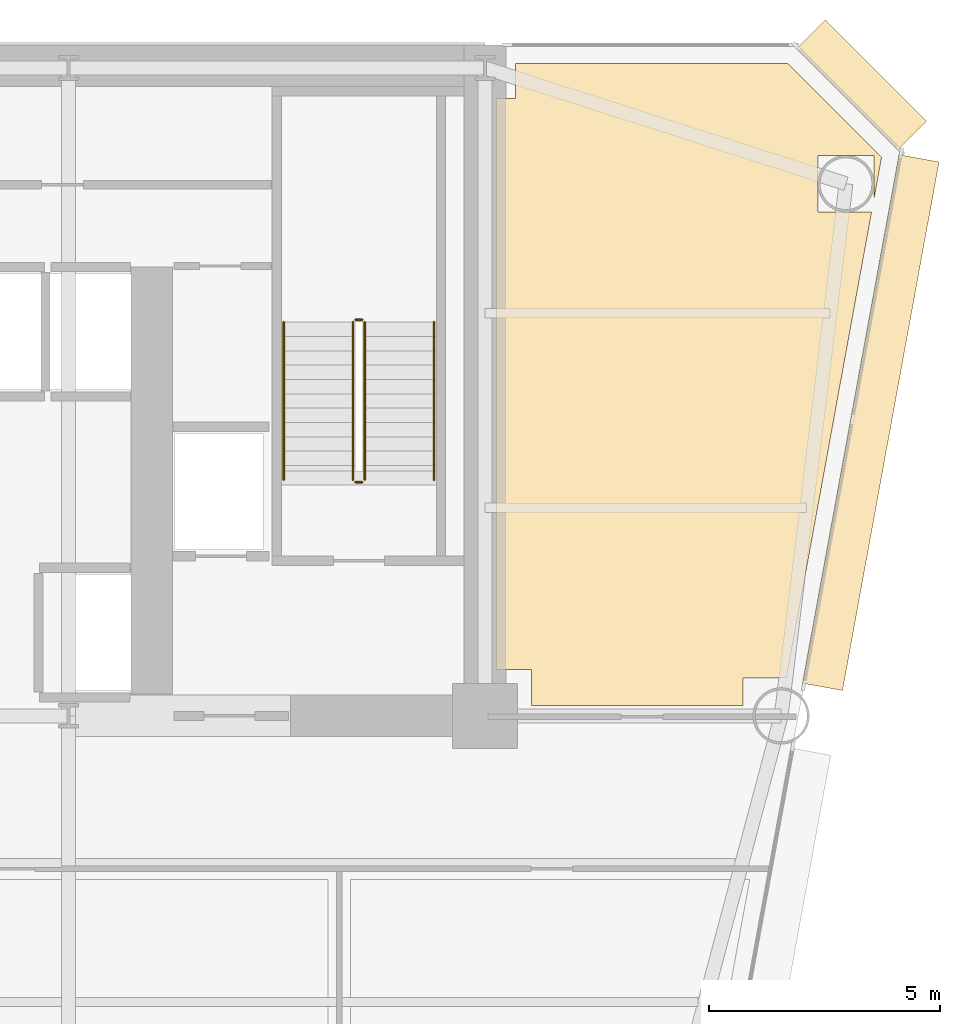
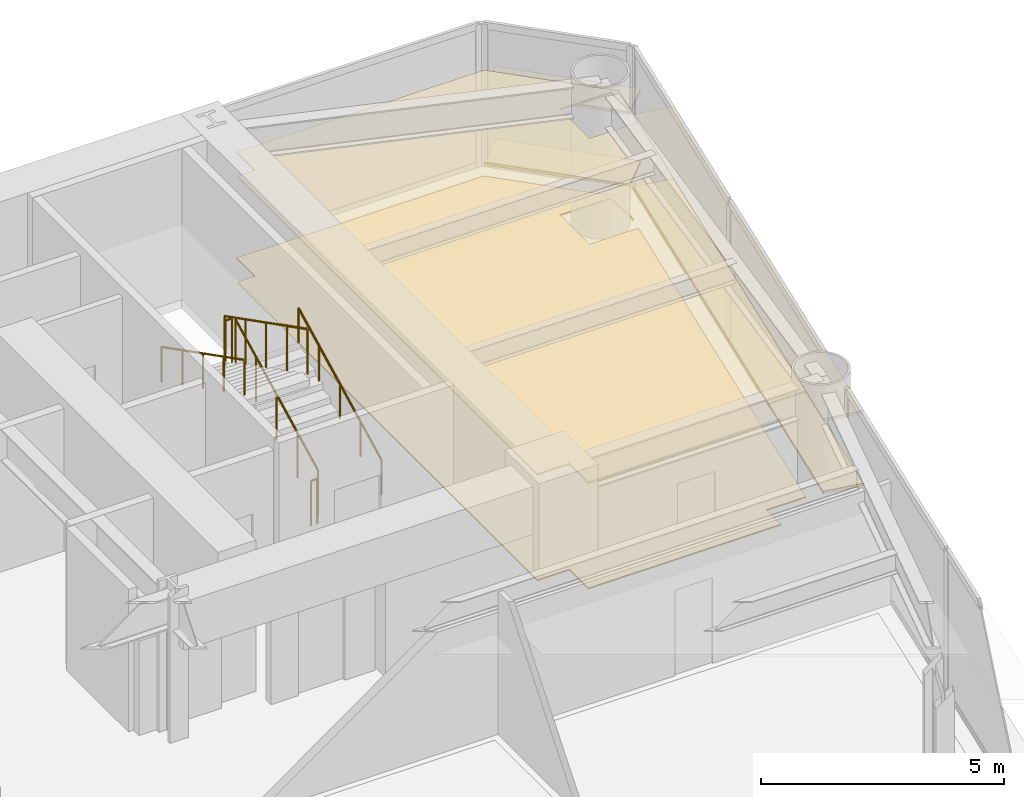
# One storey, part 14 of 14: 6 coverings, 6 railings.
"""IFC4 building model written with IfcOpenShell, lengths in metres."""

from ifc_helpers import new_model, si_unit, direction, frame, origin, origin_2d, place, context, subcontext, project, spatial, polyline, rectangle, circle, outline, extrude, source, transform, mapped, material, layer, layer_set, type_object, element, save


model = new_model("IFC4")

# Units and contexts
model_context = context("Model", 3, precision=1e-05, world=origin(), true_north=direction((0.0, 1.0)))
body_context = subcontext(model_context, "Body", "Model", "MODEL_VIEW")
ifc_project = project(units=[si_unit("LENGTHUNIT", "METRE"), si_unit("AREAUNIT", "SQUARE_METRE"), si_unit("VOLUMEUNIT", "CUBIC_METRE"), si_unit("PLANEANGLEUNIT", "RADIAN"), si_unit("MASSUNIT", "GRAM", prefix="KILO")], contexts=[model_context])

# Site, building, storey
site_placement = place(None, origin())
site = spatial("IfcSite", under=ifc_project, at=site_placement, CompositionType="ELEMENT")
building_placement = place(site_placement, origin())
building = spatial("IfcBuilding", under=site, at=building_placement, Name="Vaeldorn Concourse Tower", CompositionType="ELEMENT")
storey_placement = place(building_placement, frame((0.0, 0.0, 72.0)))
storey = spatial("IfcBuildingStorey", under=building, at=storey_placement, Name="L18", CompositionType="ELEMENT", Elevation=72.0)

# Coverings
ifc_material_1 = material(Name="Acoustic Mineral Fibre Board", Category="gypsum")
ifc_layer_1 = layer(ifc_material_1, 0.0400390625)
ifc_layer_set_1 = layer_set([ifc_layer_1], Name="Acoustic Mineral Fibre Board")
covering_type_1 = type_object("IfcCoveringType", Name="COV-CEIL-ACOUSTIC", PredefinedType="CEILING", material=ifc_layer_set_1)
covering_1_placement = place(storey_placement, frame((0.0, 0.0, 2.64990234375)))
element("IfcCovering", 1, at=covering_1_placement, inside=storey, type_object=covering_type_1, Name="Suspended Acoustic Ceiling L18-4", PredefinedType="CEILING", context=body_context, shape_type="SweptSolid", body=[
    extrude(outline(polyline([(54.659912109375, 49.840087890625), (54.659912109375, 50.60009765625), (60.5341796875, 50.60009765625), (62.56884765625, 48.5654296875), (62.409423828125, 47.69287109375), (62.409423828125, 48.609619140625), (61.1904296875, 48.609619140625), (61.1904296875, 47.390380859375), (62.354248046875, 47.390380859375), (60.51513671875, 37.320068359375), (59.580078125, 37.320068359375), (59.580078125, 36.719970703125), (55.0, 36.719970703125), (55.0, 37.5), (54.239990234375, 37.5), (54.239990234375, 49.840087890625), (54.659912109375, 49.840087890625)])), origin(), (0.0, 0.0, 1.0), 0.0400390625),
])
ifc_material_2 = material(Name="Honed Limestone Terrazzo Flooring", Category="masonry")
ifc_layer_2 = layer(ifc_material_2, 0.0400390625)
ifc_layer_set_2 = layer_set([ifc_layer_2], Name="Honed Limestone Terrazzo Flooring")
covering_type_2 = type_object("IfcCoveringType", Name="COV-FLOOR-STONE", PredefinedType="FLOORING", material=ifc_layer_set_2)
covering_2_placement = place(storey_placement, origin())
element("IfcCovering", 2, at=covering_2_placement, inside=storey, type_object=covering_type_2, Name="Floor Finish Covering L18-4", PredefinedType="FLOORING", context=body_context, shape_type="SweptSolid", body=[
    extrude(outline(polyline([(54.659912109375, 49.840087890625), (54.659912109375, 50.60009765625), (60.5341796875, 50.60009765625), (62.56884765625, 48.5654296875), (62.409423828125, 47.69287109375), (62.409423828125, 48.609619140625), (61.1904296875, 48.609619140625), (61.1904296875, 47.390380859375), (62.354248046875, 47.390380859375), (60.51513671875, 37.320068359375), (59.580078125, 37.320068359375), (59.580078125, 36.719970703125), (55.0, 36.719970703125), (55.0, 37.5), (54.239990234375, 37.5), (54.239990234375, 49.840087890625), (54.659912109375, 49.840087890625)])), origin(), (0.0, 0.0, 1.0), 0.030029296875),
])

# Railings
ifc_material_3 = material(Name="Anodised Bronze Aluminium", Category="aluminium")
railing_type_1 = type_object("IfcRailingType", Name="RL-STAIR-GUARD", PredefinedType="GUARDRAIL", material=ifc_material_3)
railing_1_placement = place(storey_placement, frame((51.39990234375, 41.60009765625, 0.158447265625)))
element("IfcRailing", 3, at=railing_1_placement, inside=storey, type_object=railing_type_1, Name="L18 ST-2 stair guard 1", PredefinedType="GUARDRAIL", context=body_context, shape_type="SweptSolid", body=[
    extrude(circle(Radius=0.02392578125, at=origin_2d()), frame((0.0, 0.0, 1.1259765625), z_axis=(0.0, 0.890581635807, 0.454823427236), x_axis=(-1.0, 0.0, 0.0)), (0.0, 0.0, 1.0), 3.828857421875),
    extrude(circle(Radius=0.02099609375, at=origin_2d()), origin(), (0.0, 0.0, 1.0), 1.101806640625),
    extrude(circle(Radius=0.02099609375, at=origin_2d()), frame((0.0, 0.8525390625, 0.435302734375)), (0.0, 0.0, 1.0), 1.101806640625),
    extrude(circle(Radius=0.02099609375, at=origin_2d()), frame((0.0, 1.705078125, 0.87060546875)), (0.0, 0.0, 1.0), 1.101806640625),
    extrude(circle(Radius=0.02099609375, at=origin_2d()), frame((0.0, 2.557373046875, 1.30615234375)), (0.0, 0.0, 1.0), 1.101806640625),
    extrude(circle(Radius=0.02099609375, at=origin_2d()), frame((0.0, 3.409912109375, 1.741455078125)), (0.0, 0.0, 1.0), 1.101806640625),
])
railing_2_placement = place(storey_placement, frame((51.35009765625, 45.06005859375, 1.89990234375)))
element("IfcRailing", 4, at=railing_2_placement, inside=storey, type_object=railing_type_1, Name="L18 ST-2 stair guard 2", PredefinedType="GUARDRAIL", context=body_context, shape_type="SweptSolid", body=[
    extrude(circle(Radius=0.02392578125, at=origin_2d()), frame((0.0, 0.0, 1.1259765625), z_axis=(-1.0, 0.0, 0.0), x_axis=(0.0, -1.0, 0.0)), (0.0, 0.0, 1.0), 0.150146484375),
    extrude(circle(Radius=0.02099609375, at=origin_2d()), origin(), (0.0, 0.0, 1.0), 1.101806640625),
    extrude(circle(Radius=0.02099609375, at=origin_2d()), frame((-0.150146484375, 0.0, 0.0)), (0.0, 0.0, 1.0), 1.101806640625),
])
railing_3_placement = place(storey_placement, frame((51.14990234375, 45.010009765625, 2.058349609375)))
element("IfcRailing", 5, at=railing_3_placement, inside=storey, type_object=railing_type_1, Name="L18 ST-2 stair guard 3", PredefinedType="GUARDRAIL", context=body_context, shape_type="SweptSolid", body=[
    extrude(circle(Radius=0.02392578125, at=origin_2d()), frame((0.0, 0.0, 1.1259765625), z_axis=(0.0, -0.890555807335, 0.454873997962), x_axis=(1.0, 0.0, 0.0)), (0.0, 0.0, 1.0), 3.828857421875),
    extrude(circle(Radius=0.02099609375, at=origin_2d()), origin(), (0.0, 0.0, 1.0), 1.101806640625),
    extrude(circle(Radius=0.02099609375, at=origin_2d()), frame((0.0, -0.8525390625, 0.435546875)), (0.0, 0.0, 1.0), 1.101806640625),
    extrude(circle(Radius=0.02099609375, at=origin_2d()), frame((0.0, -1.705078125, 0.870849609375)), (0.0, 0.0, 1.0), 1.101806640625),
    extrude(circle(Radius=0.02099609375, at=origin_2d()), frame((0.0, -2.557373046875, 1.30615234375)), (0.0, 0.0, 1.0), 1.101806640625),
    extrude(circle(Radius=0.02099609375, at=origin_2d()), frame((0.0, -3.409912109375, 1.74169921875)), (0.0, 0.0, 1.0), 1.101806640625),
])
railing_4_placement = place(storey_placement, frame((51.35009765625, 41.550048828125, 0.0)))
element("IfcRailing", 6, at=railing_4_placement, inside=storey, type_object=railing_type_1, Name="L18 ST-2 stair guard 4", PredefinedType="GUARDRAIL", context=body_context, shape_type="SweptSolid", body=[
    extrude(circle(Radius=0.02392578125, at=origin_2d()), frame((0.0, 0.0, 1.1259765625), z_axis=(-1.0, 0.0, 0.0), x_axis=(0.0, -1.0, 0.0)), (0.0, 0.0, 1.0), 0.150146484375),
    extrude(circle(Radius=0.02099609375, at=origin_2d()), origin(), (0.0, 0.0, 1.0), 1.101806640625),
    extrude(circle(Radius=0.02099609375, at=origin_2d()), frame((-0.150146484375, 0.0, 0.0)), (0.0, 0.0, 1.0), 1.101806640625),
])
railing_type_2 = type_object("IfcRailingType", Name="RL-STAIR-HANDRAIL", PredefinedType="HANDRAIL", material=ifc_material_3)
railing_5_placement = place(storey_placement, frame((52.89990234375, 41.60009765625, 0.158447265625)))
element("IfcRailing", 7, at=railing_5_placement, inside=storey, type_object=railing_type_2, Name="L18 ST-2 stair handrail 1", PredefinedType="HANDRAIL", context=body_context, shape_type="SweptSolid", body=[
    extrude(circle(Radius=0.02392578125, at=origin_2d()), frame((0.0, 0.0, 0.8759765625), z_axis=(0.0, 0.890581635807, 0.454823427236), x_axis=(-1.0, 0.0, 0.0)), (0.0, 0.0, 1.0), 3.828857421875),
    extrude(circle(Radius=0.02099609375, at=origin_2d()), origin(), (0.0, 0.0, 1.0), 0.851806640625),
    extrude(circle(Radius=0.02099609375, at=origin_2d()), frame((0.0, 0.8525390625, 0.435302734375)), (0.0, 0.0, 1.0), 0.851806640625),
    extrude(circle(Radius=0.02099609375, at=origin_2d()), frame((0.0, 1.705078125, 0.87060546875)), (0.0, 0.0, 1.0), 0.851806640625),
    extrude(circle(Radius=0.02099609375, at=origin_2d()), frame((0.0, 2.557373046875, 1.30615234375)), (0.0, 0.0, 1.0), 0.851806640625),
    extrude(circle(Radius=0.02099609375, at=origin_2d()), frame((0.0, 3.409912109375, 1.741455078125)), (0.0, 0.0, 1.0), 0.851806640625),
])
railing_6_placement = place(storey_placement, frame((49.64990234375, 45.010009765625, 2.058349609375)))
element("IfcRailing", 8, at=railing_6_placement, inside=storey, type_object=railing_type_2, Name="L18 ST-2 stair handrail 2", PredefinedType="HANDRAIL", context=body_context, shape_type="SweptSolid", body=[
    extrude(circle(Radius=0.02392578125, at=origin_2d()), frame((0.0, 0.0, 0.8759765625), z_axis=(0.0, -0.890555807335, 0.454873997962), x_axis=(1.0, 0.0, 0.0)), (0.0, 0.0, 1.0), 3.828857421875),
    extrude(circle(Radius=0.02099609375, at=origin_2d()), origin(), (0.0, 0.0, 1.0), 0.851806640625),
    extrude(circle(Radius=0.02099609375, at=origin_2d()), frame((0.0, -0.8525390625, 0.435546875)), (0.0, 0.0, 1.0), 0.851806640625),
    extrude(circle(Radius=0.02099609375, at=origin_2d()), frame((0.0, -1.705078125, 0.870849609375)), (0.0, 0.0, 1.0), 0.851806640625),
    extrude(circle(Radius=0.02099609375, at=origin_2d()), frame((0.0, -2.557373046875, 1.30615234375)), (0.0, 0.0, 1.0), 0.851806640625),
    extrude(circle(Radius=0.02099609375, at=origin_2d()), frame((0.0, -3.409912109375, 1.74169921875)), (0.0, 0.0, 1.0), 0.851806640625),
])

# Coverings
ifc_layer_3 = layer(ifc_material_3, 0.06494140625)
ifc_layer_set_3 = layer_set([ifc_layer_3], Name="Anodised Bronze Aluminium")
covering_type_3 = type_object("IfcCoveringType", Name="SD-BRONZE-SUNSHADE", PredefinedType="USERDEFINED", material=ifc_layer_set_3)
shared_shape_1 = source(origin(), body_context, "Body", "SweptSolid", [
    extrude(rectangle(XDim=3.0927734375, YDim=0.8798828125, at=origin_2d()), origin(), (0.0, 0.0, 1.0), 0.06494140625),
])
for number, where, z_axis, x_axis, name in (
    (9, (62.1328125, 50.1328125, 0.047607421875), (0.0, 0.0, 1.0), (-0.707106781187, 0.707106781187, 0.0), "Horizontal Bronze Sunshade L18-E08.1.1"),
    (10, (62.1328125, 50.1328125, 1.867431640625), (0.0, 0.0, 1.0), (-0.707106781187, 0.707106781187, 0.0), "Horizontal Bronze Sunshade L18-E08.1.2"),
):
    element("IfcCovering", number, at=place(storey_placement, frame(where, z_axis=z_axis, x_axis=x_axis)), inside=storey, type_object=covering_type_3, Name=name, ObjectType="SUNSHADE", PredefinedType="USERDEFINED", context=body_context, shape_type="MappedRepresentation", body=[
        mapped(shared_shape_1, transform((0.0, 0.0, 0.0), scale=1.0)),
    ])
shared_shape_2 = source(origin(), body_context, "Body", "SweptSolid", [
    extrude(rectangle(XDim=11.612060546875, YDim=0.8798828125, at=origin_2d()), origin(), (0.0, 0.0, 1.0), 0.06494140625),
])
for number, where, z_axis, x_axis, name in (
    (11, (62.3359375, 42.837890625, 0.047607421875), (0.0, 0.0, 1.0), (0.179660748593, 0.98372862895, 0.0), "Horizontal Bronze Sunshade L18-E07.2.1"),
    (12, (62.3359375, 42.837890625, 1.867431640625), (0.0, 0.0, 1.0), (0.179660748593, 0.98372862895, 0.0), "Horizontal Bronze Sunshade L18-E07.2.2"),
):
    element("IfcCovering", number, at=place(storey_placement, frame(where, z_axis=z_axis, x_axis=x_axis)), inside=storey, type_object=covering_type_3, Name=name, ObjectType="SUNSHADE", PredefinedType="USERDEFINED", context=body_context, shape_type="MappedRepresentation", body=[
        mapped(shared_shape_2, transform((0.0, 0.0, 0.0), scale=1.0)),
    ])

save(model, "model.ifc")
